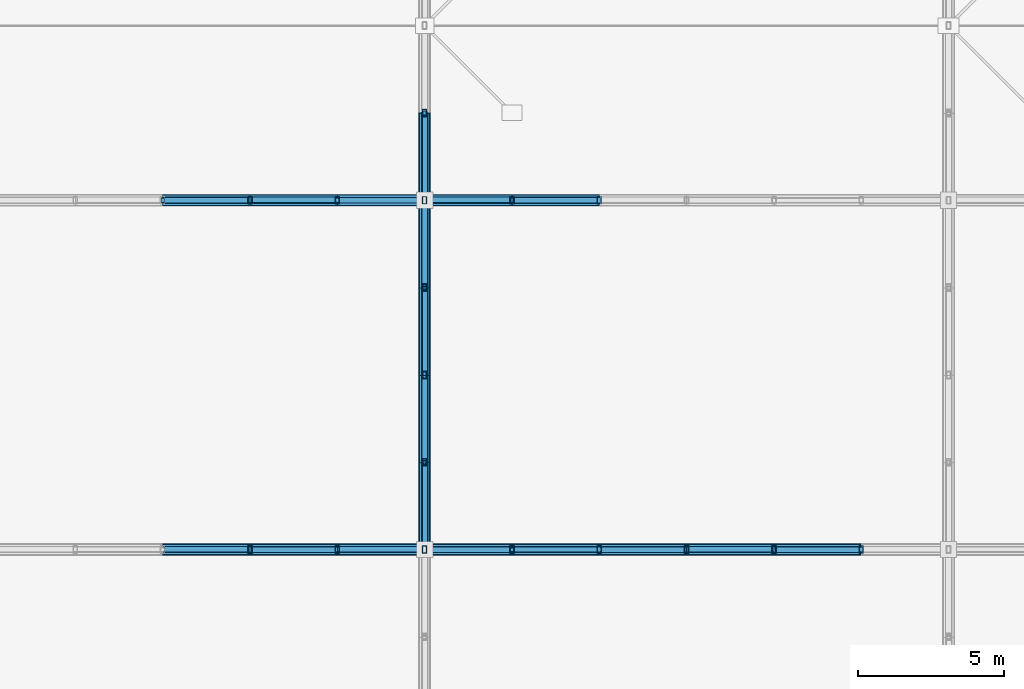
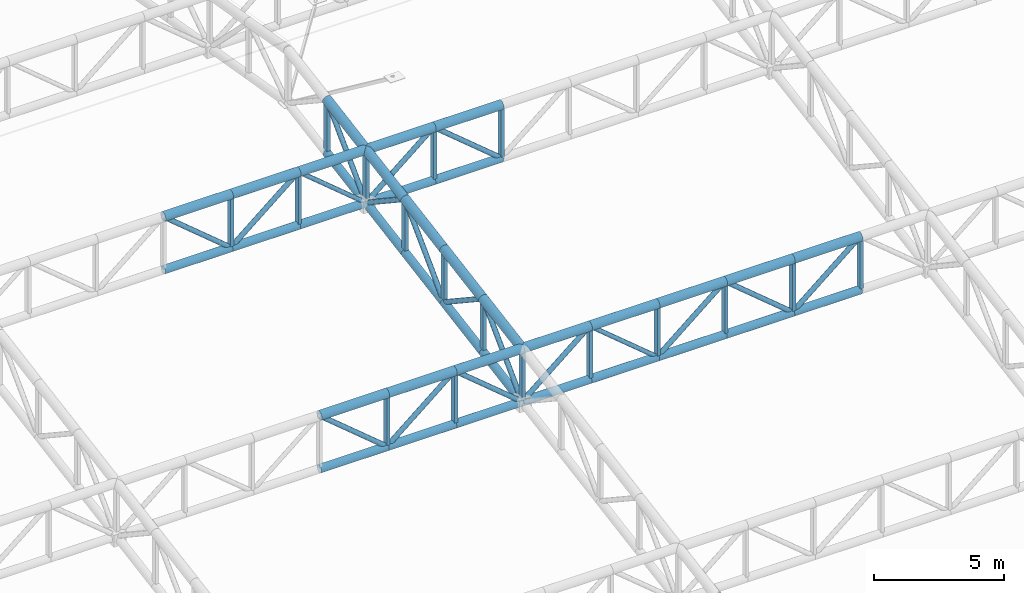
# One storey, part 112 of 239: 71 members.
"""IFC4 building model written with IfcOpenShell, lengths in metres."""

from ifc_helpers import new_model, si_unit, direction, frame, origin, origin_2d, place, context, subcontext, project, spatial, hollow_rectangle, hollow_circle, extrude, material, material_profile, profile_set, type_object, element, save


model = new_model("IFC4")

# Units and contexts
model_context = context("Model", 3, precision=1e-05, world=origin(), true_north=direction((0.0, 1.0)))
body_context = subcontext(model_context, "Body", "Model", "MODEL_VIEW")
ifc_project = project(units=[si_unit("LENGTHUNIT", "METRE"), si_unit("AREAUNIT", "SQUARE_METRE"), si_unit("VOLUMEUNIT", "CUBIC_METRE"), si_unit("PLANEANGLEUNIT", "RADIAN"), si_unit("MASSUNIT", "GRAM", prefix="KILO")], contexts=[model_context])

# Site, building, storey
site_placement = place(None, origin())
site = spatial("IfcSite", under=ifc_project, at=site_placement, CompositionType="ELEMENT")
building_placement = place(site_placement, origin())
building = spatial("IfcBuilding", under=site, at=building_placement, Name="Kaldris Quays Convention Centre", CompositionType="ELEMENT")
storey_placement = place(building_placement, frame((0.0, 0.0, 11.39990234375)))
storey = spatial("IfcBuildingStorey", under=building, at=storey_placement, Name="L02", CompositionType="ELEMENT", Elevation=11.39990234375)

# Members
ifc_material = material(Name="Steel S355J2H", Category="steel")
ifc_material_profile_1 = material_profile(ifc_material, hollow_circle(Radius=0.203125, WallThickness=0.01611328125, at=origin_2d()), Name="CHS 406.4x16")
ifc_profile_set_1 = profile_set([ifc_material_profile_1], Name="Steel S355J2H")
member_type_1 = type_object("IfcMemberType", Name="STRUCTURAL MEMBER SC01", PredefinedType="CHORD", material=ifc_profile_set_1)
for number, where, z_axis, x_axis, name in (
    (1, (83.0, 80.0, 13.7861328125), (1.0, 0.0, 0.0), (0.0, 1.0, 0.0), "SF-V1 Top Chord X 106"),
    (2, (86.0, 80.0, 13.7861328125), (1.0, 0.0, 0.0), (0.0, 1.0, 0.0), "SF-V1 Top Chord X 107"),
    (3, (89.0, 80.0, 13.7861328125), (1.0, 0.0, 0.0), (0.0, 1.0, 0.0), "SF-V1 Top Chord X 108"),
    (4, (92.0, 80.0, 13.7861328125), (1.0, 0.0, 0.0), (0.0, 1.0, 0.0), "SF-V1 Top Chord X 109"),
    (5, (95.0, 80.0, 13.7861328125), (1.0, 0.0, 0.0), (0.0, 1.0, 0.0), "SF-V1 Top Chord X 110"),
    (6, (98.0, 80.0, 13.7861328125), (1.0, 0.0, 0.0), (0.0, 1.0, 0.0), "SF-V1 Top Chord X 111"),
    (7, (101.0, 80.0, 13.7861328125), (1.0, 0.0, 0.0), (0.0, 1.0, 0.0), "SF-V1 Top Chord X 112"),
    (8, (104.0, 80.0, 13.7861328125), (1.0, 0.0, 0.0), (0.0, 1.0, 0.0), "SF-V1 Top Chord X 113"),
    (9, (83.0, 92.0, 15.84326171875), (1.0, 0.0, 0.0), (0.0, 1.0, 0.0), "SF-V1 Top Chord X 148"),
    (10, (86.0, 92.0, 15.84326171875), (1.0, 0.0, 0.0), (0.0, 1.0, 0.0), "SF-V1 Top Chord X 149"),
    (11, (89.0, 92.0, 15.84326171875), (1.0, 0.0, 0.0), (0.0, 1.0, 0.0), "SF-V1 Top Chord X 150"),
    (12, (92.0, 92.0, 15.84326171875), (1.0, 0.0, 0.0), (0.0, 1.0, 0.0), "SF-V1 Top Chord X 151"),
    (13, (95.0, 92.0, 15.84326171875), (1.0, 0.0, 0.0), (0.0, 1.0, 0.0), "SF-V1 Top Chord X 152"),
):
    element("IfcMember", number, at=place(storey_placement, frame(where, z_axis=z_axis, x_axis=x_axis)), inside=storey, type_object=member_type_1, Name=name, PredefinedType="CHORD", context=body_context, shape_type="SweptSolid", body=[
        extrude(hollow_circle(Radius=0.203125, WallThickness=0.01611328125, at=origin_2d()), origin(), (0.0, 0.0, 1.0), 3.0),
    ])
for number, where, z_axis, x_axis, name in (
    (14, (92.0, 80.0, 13.7861328125), (0.0, 0.985615766076, 0.169001661712), (-1.0, 0.0, 0.0), "SF-V1 Top Chord Y 457"),
    (15, (92.0, 83.0, 14.300537109375), (0.0, 0.98562912375, 0.168923741424), (-1.0, 0.0, 0.0), "SF-V1 Top Chord Y 458"),
    (16, (92.0, 86.0, 14.814697265625), (0.0, 0.985615766076, 0.169001661712), (-1.0, 0.0, 0.0), "SF-V1 Top Chord Y 459"),
    (17, (92.0, 89.0, 15.3291015625), (0.0, 0.98562912375, 0.168923741424), (-1.0, 0.0, 0.0), "SF-V1 Top Chord Y 460"),
    (18, (92.0, 92.0, 15.84326171875), (0.0, 0.985615766076, 0.169001661712), (-1.0, 0.0, 0.0), "SF-V1 Top Chord Y 461"),
):
    element("IfcMember", number, at=place(storey_placement, frame(where, z_axis=z_axis, x_axis=x_axis)), inside=storey, type_object=member_type_1, Name=name, PredefinedType="CHORD", context=body_context, shape_type="SweptSolid", body=[
        extrude(hollow_circle(Radius=0.203125, WallThickness=0.01611328125, at=origin_2d()), origin(), (0.0, 0.0, 1.0), 3.043701171875),
    ])
ifc_material_profile_2 = material_profile(ifc_material, hollow_circle(Radius=0.177734375, WallThickness=0.01611328125, at=origin_2d()), Name="CHS 355.6x16")
ifc_profile_set_2 = profile_set([ifc_material_profile_2], Name="Steel S355J2H")
member_type_2 = type_object("IfcMemberType", Name="STRUCTURAL MEMBER SC02", PredefinedType="CHORD", material=ifc_profile_set_2)
for number, where, z_axis, x_axis, name in (
    (19, (83.0, 80.0, 11.2861328125), (1.0, 0.0, 0.0), (0.0, 1.0, 0.0), "SF-V1 Bottom Chord X 106"),
    (20, (86.0, 80.0, 11.2861328125), (1.0, 0.0, 0.0), (0.0, 1.0, 0.0), "SF-V1 Bottom Chord X 107"),
    (21, (89.0, 80.0, 11.2861328125), (1.0, 0.0, 0.0), (0.0, 1.0, 0.0), "SF-V1 Bottom Chord X 108"),
    (22, (92.0, 80.0, 11.2861328125), (1.0, 0.0, 0.0), (0.0, 1.0, 0.0), "SF-V1 Bottom Chord X 109"),
    (23, (95.0, 80.0, 11.2861328125), (1.0, 0.0, 0.0), (0.0, 1.0, 0.0), "SF-V1 Bottom Chord X 110"),
    (24, (98.0, 80.0, 11.2861328125), (1.0, 0.0, 0.0), (0.0, 1.0, 0.0), "SF-V1 Bottom Chord X 111"),
    (25, (101.0, 80.0, 11.2861328125), (1.0, 0.0, 0.0), (0.0, 1.0, 0.0), "SF-V1 Bottom Chord X 112"),
    (26, (104.0, 80.0, 11.2861328125), (1.0, 0.0, 0.0), (0.0, 1.0, 0.0), "SF-V1 Bottom Chord X 113"),
    (27, (83.0, 92.0, 13.34326171875), (1.0, 0.0, 0.0), (0.0, 1.0, 0.0), "SF-V1 Bottom Chord X 148"),
    (28, (86.0, 92.0, 13.34326171875), (1.0, 0.0, 0.0), (0.0, 1.0, 0.0), "SF-V1 Bottom Chord X 149"),
    (29, (89.0, 92.0, 13.34326171875), (1.0, 0.0, 0.0), (0.0, 1.0, 0.0), "SF-V1 Bottom Chord X 150"),
    (30, (92.0, 92.0, 13.34326171875), (1.0, 0.0, 0.0), (0.0, 1.0, 0.0), "SF-V1 Bottom Chord X 151"),
    (31, (95.0, 92.0, 13.34326171875), (1.0, 0.0, 0.0), (0.0, 1.0, 0.0), "SF-V1 Bottom Chord X 152"),
):
    element("IfcMember", number, at=place(storey_placement, frame(where, z_axis=z_axis, x_axis=x_axis)), inside=storey, type_object=member_type_2, Name=name, PredefinedType="CHORD", context=body_context, shape_type="SweptSolid", body=[
        extrude(hollow_circle(Radius=0.177734375, WallThickness=0.01611328125, at=origin_2d()), origin(), (0.0, 0.0, 1.0), 3.0),
    ])
for number, where, z_axis, x_axis, name in (
    (32, (92.0, 80.0, 11.2861328125), (0.0, 0.985615766076, 0.169001661712), (-1.0, 0.0, 0.0), "SF-V1 Bottom Chord Y 457"),
    (33, (92.0, 83.0, 11.800537109375), (0.0, 0.98562912375, 0.168923741424), (-1.0, 0.0, 0.0), "SF-V1 Bottom Chord Y 458"),
    (34, (92.0, 86.0, 12.314697265625), (0.0, 0.985615766076, 0.169001661712), (-1.0, 0.0, 0.0), "SF-V1 Bottom Chord Y 459"),
    (35, (92.0, 89.0, 12.8291015625), (0.0, 0.98562912375, 0.168923741424), (-1.0, 0.0, 0.0), "SF-V1 Bottom Chord Y 460"),
    (36, (92.0, 92.0, 13.34326171875), (0.0, 0.985615766076, 0.169001661712), (-1.0, 0.0, 0.0), "SF-V1 Bottom Chord Y 461"),
):
    element("IfcMember", number, at=place(storey_placement, frame(where, z_axis=z_axis, x_axis=x_axis)), inside=storey, type_object=member_type_2, Name=name, PredefinedType="CHORD", context=body_context, shape_type="SweptSolid", body=[
        extrude(hollow_circle(Radius=0.177734375, WallThickness=0.01611328125, at=origin_2d()), origin(), (0.0, 0.0, 1.0), 3.043701171875),
    ])
ifc_material_profile_3 = material_profile(ifc_material, hollow_circle(Radius=0.109619140625, WallThickness=0.010009765625, at=origin_2d()), Name="CHS 219.1x10")
ifc_profile_set_3 = profile_set([ifc_material_profile_3], Name="Steel S355J2H")
member_type_3 = type_object("IfcMemberType", Name="STRUCTURAL MEMBER SWB1", PredefinedType="BRACE", material=ifc_profile_set_3)
for number, where, z_axis, x_axis, name in (
    (37, (86.0, 80.0, 11.2861328125), (-0.768221279597, 0.0, 0.640184399664), (0.0, -1.0, 0.0), "SF-V1 Web Diagonal X 106"),
    (38, (86.0, 80.0, 11.2861328125), (0.768221279597, 0.0, 0.640184399664), (0.0, 1.0, 0.0), "SF-V1 Web Diagonal X 107"),
    (39, (92.0, 80.0, 11.2861328125), (-0.768221279597, 0.0, 0.640184399664), (0.0, -1.0, 0.0), "SF-V1 Web Diagonal X 108"),
    (40, (92.0, 80.0, 11.2861328125), (0.768221279597, 0.0, 0.640184399664), (0.0, 1.0, 0.0), "SF-V1 Web Diagonal X 109"),
    (41, (98.0, 80.0, 11.2861328125), (0.768221279597, 0.0, 0.640184399664), (0.0, 1.0, 0.0), "SF-V1 Web Diagonal X 111"),
    (42, (104.0, 80.0, 11.2861328125), (-0.768221279597, 0.0, 0.640184399664), (0.0, -1.0, 0.0), "SF-V1 Web Diagonal X 112"),
    (43, (104.0, 80.0, 11.2861328125), (0.768221279597, 0.0, 0.640184399664), (0.0, 1.0, 0.0), "SF-V1 Web Diagonal X 113"),
    (44, (86.0, 92.0, 13.34326171875), (-0.768221279597, 0.0, 0.640184399664), (0.0, -1.0, 0.0), "SF-V1 Web Diagonal X 148"),
    (45, (86.0, 92.0, 13.34326171875), (0.768221279597, 0.0, 0.640184399664), (0.0, 1.0, 0.0), "SF-V1 Web Diagonal X 149"),
    (46, (92.0, 92.0, 13.34326171875), (0.768221279597, 0.0, 0.640184399664), (0.0, 1.0, 0.0), "SF-V1 Web Diagonal X 151"),
    (47, (98.0, 92.0, 13.34326171875), (-0.768221279597, 0.0, 0.640184399664), (0.0, -1.0, 0.0), "SF-V1 Web Diagonal X 152"),
):
    element("IfcMember", number, at=place(storey_placement, frame(where, z_axis=z_axis, x_axis=x_axis)), inside=storey, type_object=member_type_3, Name=name, PredefinedType="BRACE", context=body_context, shape_type="SweptSolid", body=[
        extrude(hollow_circle(Radius=0.109619140625, WallThickness=0.010009765625, at=origin_2d()), origin(), (0.0, 0.0, 1.0), 3.905029296875),
    ])
member_1_placement = place(storey_placement, frame((92.0, 80.0, 11.2861328125), z_axis=(0.0, 0.705411261057, 0.708798245465), x_axis=(-1.0, 0.0, 0.0)))
element("IfcMember", 48, at=member_1_placement, inside=storey, type_object=member_type_3, Name="SF-V1 Web Diagonal Y 457", PredefinedType="BRACE", context=body_context, shape_type="SweptSolid", body=[
    extrude(hollow_circle(Radius=0.109619140625, WallThickness=0.010009765625, at=origin_2d()), origin(), (0.0, 0.0, 1.0), 4.2529296875),
])
member_2_placement = place(storey_placement, frame((92.0, 86.0, 12.314697265625), z_axis=(0.0, -0.833862389808, 0.551972385962), x_axis=(1.0, 0.0, 0.0)))
element("IfcMember", 49, at=member_2_placement, inside=storey, type_object=member_type_3, Name="SF-V1 Web Diagonal Y 458", PredefinedType="BRACE", context=body_context, shape_type="SweptSolid", body=[
    extrude(hollow_circle(Radius=0.109619140625, WallThickness=0.010009765625, at=origin_2d()), origin(), (0.0, 0.0, 1.0), 3.59765625),
])
member_3_placement = place(storey_placement, frame((92.0, 86.0, 12.314697265625), z_axis=(0.0, 0.705411261057, 0.708798245465), x_axis=(-1.0, 0.0, 0.0)))
element("IfcMember", 50, at=member_3_placement, inside=storey, type_object=member_type_3, Name="SF-V1 Web Diagonal Y 459", PredefinedType="BRACE", context=body_context, shape_type="SweptSolid", body=[
    extrude(hollow_circle(Radius=0.109619140625, WallThickness=0.010009765625, at=origin_2d()), origin(), (0.0, 0.0, 1.0), 4.2529296875),
])
member_4_placement = place(storey_placement, frame((92.0, 92.0, 13.34326171875), z_axis=(0.0, -0.833862389808, 0.551972385962), x_axis=(1.0, 0.0, 0.0)))
element("IfcMember", 51, at=member_4_placement, inside=storey, type_object=member_type_3, Name="SF-V1 Web Diagonal Y 460", PredefinedType="BRACE", context=body_context, shape_type="SweptSolid", body=[
    extrude(hollow_circle(Radius=0.109619140625, WallThickness=0.010009765625, at=origin_2d()), origin(), (0.0, 0.0, 1.0), 3.59765625),
])
member_5_placement = place(storey_placement, frame((92.0, 92.0, 13.34326171875), z_axis=(0.0, 0.705411261057, 0.708798245465), x_axis=(-1.0, 0.0, 0.0)))
element("IfcMember", 52, at=member_5_placement, inside=storey, type_object=member_type_3, Name="SF-V1 Web Diagonal Y 461", PredefinedType="BRACE", context=body_context, shape_type="SweptSolid", body=[
    extrude(hollow_circle(Radius=0.109619140625, WallThickness=0.010009765625, at=origin_2d()), origin(), (0.0, 0.0, 1.0), 4.2529296875),
])
ifc_material_profile_4 = material_profile(ifc_material, hollow_circle(Radius=0.096923828125, WallThickness=0.008056640625, at=origin_2d()), Name="CHS 193.7x8")
ifc_profile_set_4 = profile_set([ifc_material_profile_4], Name="Steel S355J2H")
member_type_4 = type_object("IfcMemberType", Name="STRUCTURAL MEMBER SWB3", PredefinedType="BRACE", material=ifc_profile_set_4)
for number, where, z_axis, x_axis, name in (
    (53, (98.0, 80.0, 11.2861328125), (-0.768221279597, 0.0, 0.640184399664), (0.0, -1.0, 0.0), "SF-V1 Web Diagonal X 110"),
    (54, (92.0, 92.0, 13.34326171875), (-0.768221279597, 0.0, 0.640184399664), (0.0, -1.0, 0.0), "SF-V1 Web Diagonal X 150"),
):
    element("IfcMember", number, at=place(storey_placement, frame(where, z_axis=z_axis, x_axis=x_axis)), inside=storey, type_object=member_type_4, Name=name, PredefinedType="BRACE", context=body_context, shape_type="SweptSolid", body=[
        extrude(hollow_circle(Radius=0.096923828125, WallThickness=0.008056640625, at=origin_2d()), origin(), (0.0, 0.0, 1.0), 3.905029296875),
    ])
ifc_material_profile_5 = material_profile(ifc_material, hollow_rectangle(XDim=0.14990234375, YDim=0.25, WallThickness=0.010009765625, at=origin_2d()), Name="RHS 250x150x10")
ifc_profile_set_5 = profile_set([ifc_material_profile_5], Name="Steel S355J2H")
member_type_5 = type_object("IfcMemberType", Name="STRUCTURAL MEMBER TTV1", PredefinedType="POST", material=ifc_profile_set_5)
for number, where, z_axis, x_axis, name in (
    (55, (86.0, 80.0, 11.2861328125), (0.0, 0.0, 1.0), (1.0, 0.0, 0.0), "SF-V1 Space-Frame Post 263"),
    (56, (86.0, 92.0, 13.34326171875), (0.0, 0.0, 1.0), (1.0, 0.0, 0.0), "SF-V1 Space-Frame Post 264"),
    (57, (89.0, 80.0, 11.2861328125), (0.0, 0.0, 1.0), (1.0, 0.0, 0.0), "SF-V1 Space-Frame Post 271"),
    (58, (89.0, 92.0, 13.34326171875), (0.0, 0.0, 1.0), (1.0, 0.0, 0.0), "SF-V1 Space-Frame Post 272"),
    (59, (92.0, 80.0, 11.2861328125), (0.0, 0.0, 1.0), (1.0, 0.0, 0.0), "SF-V1 Space-Frame Post 285"),
    (60, (92.0, 83.0, 11.800537109375), (0.0, 0.0, 1.0), (1.0, 0.0, 0.0), "SF-V1 Space-Frame Post 286"),
    (61, (92.0, 86.0, 12.314697265625), (0.0, 0.0, 1.0), (1.0, 0.0, 0.0), "SF-V1 Space-Frame Post 287"),
    (62, (92.0, 89.0, 12.8291015625), (0.0, 0.0, 1.0), (1.0, 0.0, 0.0), "SF-V1 Space-Frame Post 288"),
    (63, (92.0, 92.0, 13.34326171875), (0.0, 0.0, 1.0), (1.0, 0.0, 0.0), "SF-V1 Space-Frame Post 289"),
    (64, (92.0, 95.0, 13.857666015625), (0.0, 0.0, 1.0), (1.0, 0.0, 0.0), "SF-V1 Space-Frame Post 290"),
    (65, (95.0, 80.0, 11.2861328125), (0.0, 0.0, 1.0), (1.0, 0.0, 0.0), "SF-V1 Space-Frame Post 308"),
    (66, (95.0, 92.0, 13.34326171875), (0.0, 0.0, 1.0), (1.0, 0.0, 0.0), "SF-V1 Space-Frame Post 309"),
    (67, (98.0, 80.0, 11.2861328125), (0.0, 0.0, 1.0), (1.0, 0.0, 0.0), "SF-V1 Space-Frame Post 316"),
    (68, (98.0, 92.0, 13.34326171875), (0.0, 0.0, 1.0), (1.0, 0.0, 0.0), "SF-V1 Space-Frame Post 317"),
    (69, (101.0, 80.0, 11.2861328125), (0.0, 0.0, 1.0), (1.0, 0.0, 0.0), "SF-V1 Space-Frame Post 324"),
    (70, (104.0, 80.0, 11.2861328125), (0.0, 0.0, 1.0), (1.0, 0.0, 0.0), "SF-V1 Space-Frame Post 332"),
    (71, (107.0, 80.0, 11.2861328125), (0.0, 0.0, 1.0), (1.0, 0.0, 0.0), "SF-V1 Space-Frame Post 340"),
):
    element("IfcMember", number, at=place(storey_placement, frame(where, z_axis=z_axis, x_axis=x_axis)), inside=storey, type_object=member_type_5, Name=name, PredefinedType="POST", context=body_context, shape_type="SweptSolid", body=[
        extrude(hollow_rectangle(XDim=0.14990234375, YDim=0.25, WallThickness=0.010009765625, at=origin_2d()), origin(), (0.0, 0.0, 1.0), 2.5),
    ])

save(model, "model.ifc")
